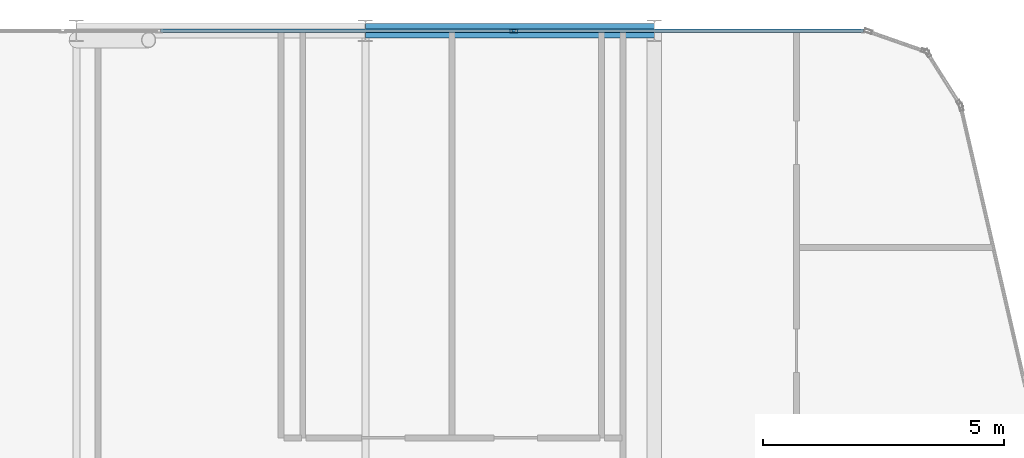
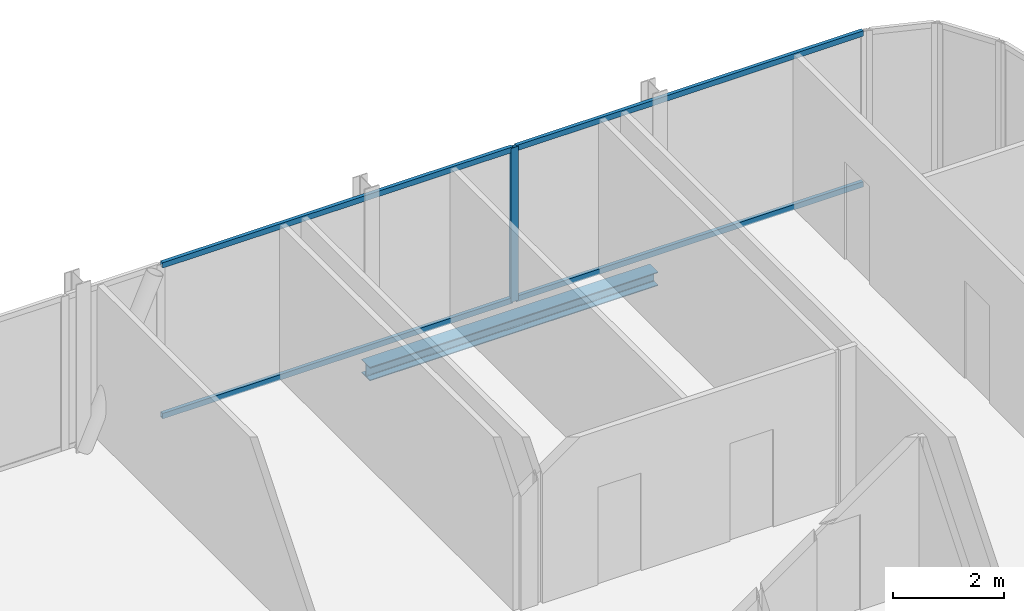
# One storey, part 19 of 29: 5 members, 1 beam, 1 element without a shape of its own.
"""IFC4 building model written with IfcOpenShell, lengths in metres."""

from ifc_helpers import new_model, si_unit, direction, frame, origin, origin_2d, place, context, subcontext, project, spatial, hollow_rectangle, i_section, extrude, material, layer, layer_set, material_profile, profile_set, type_object, element, aggregate, save


model = new_model("IFC4")

# Units and contexts
model_context = context("Model", 3, precision=1e-05, world=origin(), true_north=direction((0.0, 1.0)))
body_context = subcontext(model_context, "Body", "Model", "MODEL_VIEW")
ifc_project = project(units=[si_unit("LENGTHUNIT", "METRE"), si_unit("AREAUNIT", "SQUARE_METRE"), si_unit("VOLUMEUNIT", "CUBIC_METRE"), si_unit("PLANEANGLEUNIT", "RADIAN"), si_unit("MASSUNIT", "GRAM", prefix="KILO")], contexts=[model_context])

# Site, building, storey
site_placement = place(None, origin())
site = spatial("IfcSite", under=ifc_project, at=site_placement, CompositionType="ELEMENT")
building_placement = place(site_placement, origin())
building = spatial("IfcBuilding", under=site, at=building_placement, Name="Keshet Zoharim Tower", CompositionType="ELEMENT")
storey_placement = place(building_placement, frame((0.0, 0.0, 176.5)))
storey = spatial("IfcBuildingStorey", under=building, at=storey_placement, Name="L43", CompositionType="ELEMENT", Elevation=176.5)

# Beam
ifc_material_1 = material(Name="Steel S355", Category="steel")
ifc_material_profile_1 = material_profile(ifc_material_1, i_section(OverallWidth=0.300048828125, OverallDepth=0.300048828125, WebThickness=0.010986328125, FlangeThickness=0.01904296875, FilletRadius=0.027099609375, at=origin_2d()), Name="HEB300")
ifc_profile_set_1 = profile_set([ifc_material_profile_1], Name="Steel S355")
beam_type = type_object("IfcBeamType", Name="BM-PRI-HB300", PredefinedType="BEAM", material=ifc_profile_set_1)
beam_placement = place(storey_placement, frame((27.0, 53.89990234375, -0.4599609375), z_axis=(1.0, 0.0, 0.0), x_axis=(0.0, 1.0, 0.0)))
element("IfcBeam", 1, at=beam_placement, inside=storey, type_object=beam_type, Name="L43 Primary Girder X-020", PredefinedType="BEAM", context=body_context, shape_type="SweptSolid", body=[
    extrude(i_section(OverallWidth=0.300048828125, OverallDepth=0.300048828125, WebThickness=0.010986328125, FlangeThickness=0.01904296875, FilletRadius=0.027099609375, at=origin_2d()), origin(), (0.0, 0.0, 1.0), 6.0),
])

# Curtain wall, members
ifc_material_2 = material(Name="Aluminium 6063-T6", Category="aluminium")
ifc_layer = layer(ifc_material_2, 0.139892578125)
ifc_layer_set = layer_set([ifc_layer], Name="Aluminium 6063-T6")
curtain_wall_type = type_object("IfcCurtainWallType", Name="CW-SYS-05", PredefinedType="NOTDEFINED", material=ifc_layer_set)
curtain_wall_placement = place(storey_placement, origin())
curtain_wall = element("IfcCurtainWall", 2, at=curtain_wall_placement, inside=storey, type_object=curtain_wall_type, Name="L43 Unitised Curtain Wall 16 Part 3", PredefinedType="NOTDEFINED")
ifc_material_profile_2 = material_profile(ifc_material_2, hollow_rectangle(XDim=0.074951171875, YDim=0.159912109375, WallThickness=0.00390625, at=origin_2d()), Name="MUL-75x160")
ifc_profile_set_2 = profile_set([ifc_material_profile_2], Name="Aluminium 6063-T6")
member_type_1 = type_object("IfcMemberType", Name="CWM-M15", PredefinedType="MULLION", material=ifc_profile_set_2)
member_1_placement = place(storey_placement, frame((30.07861328125, 53.89990234375, 0.0), z_axis=(0.0, 0.0, 1.0), x_axis=(0.0, 1.0, 0.0)))
member_1 = element("IfcMember", 3, at=member_1_placement, type_object=member_type_1, Name="CW-05 mullion 2", PredefinedType="MULLION", context=body_context, shape_type="SweptSolid", body=[
    extrude(hollow_rectangle(XDim=0.074951171875, YDim=0.159912109375, WallThickness=0.00390625, at=origin_2d()), origin(), (0.0, 0.0, 1.0), 3.389892578125),
])
ifc_material_profile_3 = material_profile(ifc_material_2, hollow_rectangle(XDim=0.074951171875, YDim=0.1201171875, WallThickness=0.00390625, at=origin_2d()), Name="TRN-75x120")
ifc_profile_set_3 = profile_set([ifc_material_profile_3], Name="Aluminium 6063-T6")
member_type_2 = type_object("IfcMemberType", Name="CWT-T12", PredefinedType="USERDEFINED", material=ifc_profile_set_3)
member_2_placement = place(storey_placement, frame((22.748046875, 53.89990234375, 0.034912109375), z_axis=(1.0, 0.0, 0.0), x_axis=(0.0, 1.0, 0.0)))
member_2 = element("IfcMember", 4, at=member_2_placement, type_object=member_type_2, Name="CW-05 transom 1.1", ObjectType="TRANSOM", PredefinedType="USERDEFINED", context=body_context, shape_type="SweptSolid", body=[
    extrude(hollow_rectangle(XDim=0.074951171875, YDim=0.1201171875, WallThickness=0.00390625, at=origin_2d()), origin(), (0.0, 0.0, 1.0), 7.29541015625),
])
member_3_placement = place(storey_placement, frame((22.748046875, 53.89990234375, 3.35498046875), z_axis=(1.0, 0.0, 0.0), x_axis=(0.0, 1.0, 0.0)))
member_3 = element("IfcMember", 5, at=member_3_placement, type_object=member_type_2, Name="CW-05 transom 1.2", ObjectType="TRANSOM", PredefinedType="USERDEFINED", context=body_context, shape_type="SweptSolid", body=[
    extrude(hollow_rectangle(XDim=0.074951171875, YDim=0.1201171875, WallThickness=0.00390625, at=origin_2d()), origin(), (0.0, 0.0, 1.0), 7.29541015625),
])
member_4_placement = place(storey_placement, frame((30.113525390625, 53.89990234375, 0.034912109375), z_axis=(1.0, 0.0, 0.0), x_axis=(0.0, 1.0, 0.0)))
member_4 = element("IfcMember", 6, at=member_4_placement, type_object=member_type_2, Name="CW-05 transom 2.1", ObjectType="TRANSOM", PredefinedType="USERDEFINED", context=body_context, shape_type="SweptSolid", body=[
    extrude(hollow_rectangle(XDim=0.074951171875, YDim=0.1201171875, WallThickness=0.00390625, at=origin_2d()), origin(), (0.0, 0.0, 1.0), 7.2255859375),
])
member_5_placement = place(storey_placement, frame((30.113525390625, 53.89990234375, 3.35498046875), z_axis=(1.0, 0.0, 0.0), x_axis=(0.0, 1.0, 0.0)))
member_5 = element("IfcMember", 7, at=member_5_placement, type_object=member_type_2, Name="CW-05 transom 2.2", ObjectType="TRANSOM", PredefinedType="USERDEFINED", context=body_context, shape_type="SweptSolid", body=[
    extrude(hollow_rectangle(XDim=0.074951171875, YDim=0.1201171875, WallThickness=0.00390625, at=origin_2d()), origin(), (0.0, 0.0, 1.0), 7.2255859375),
])
aggregate(curtain_wall, [member_1, member_2, member_3, member_4, member_5])

save(model, "model.ifc")
